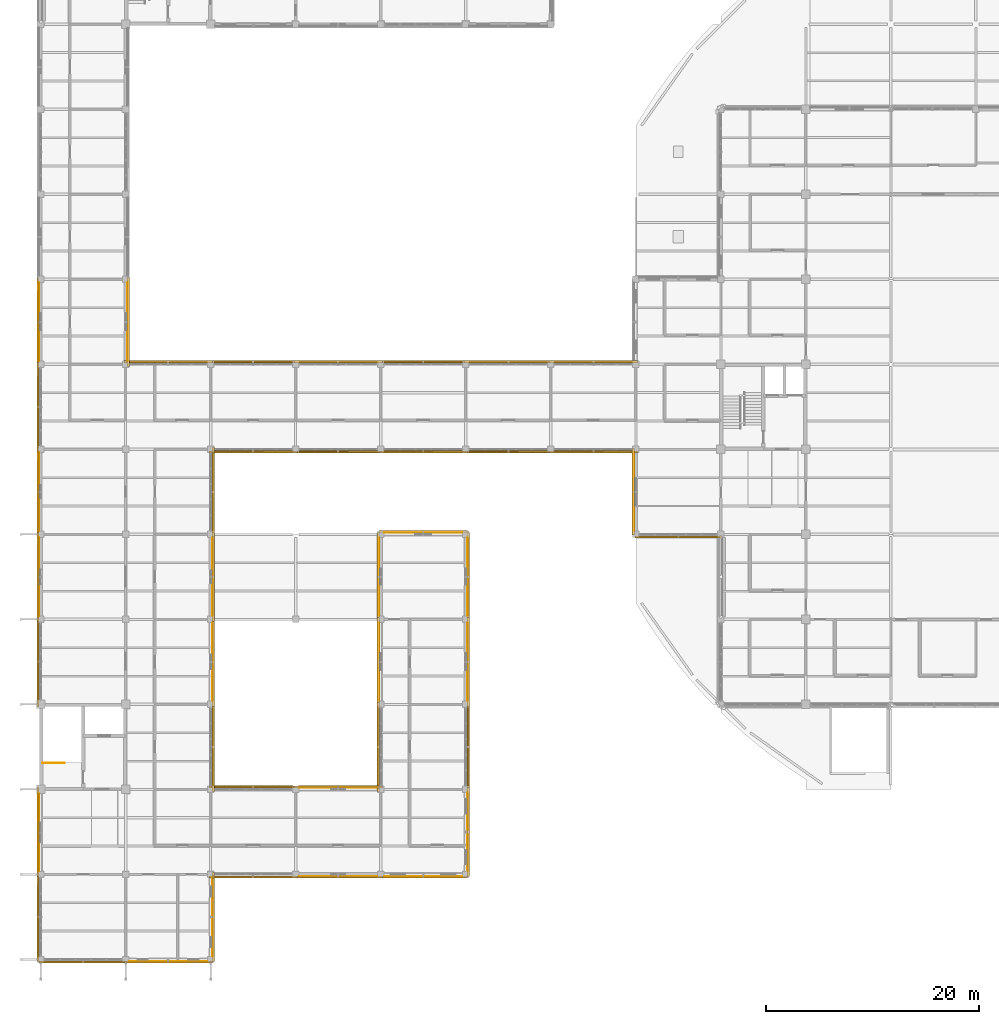
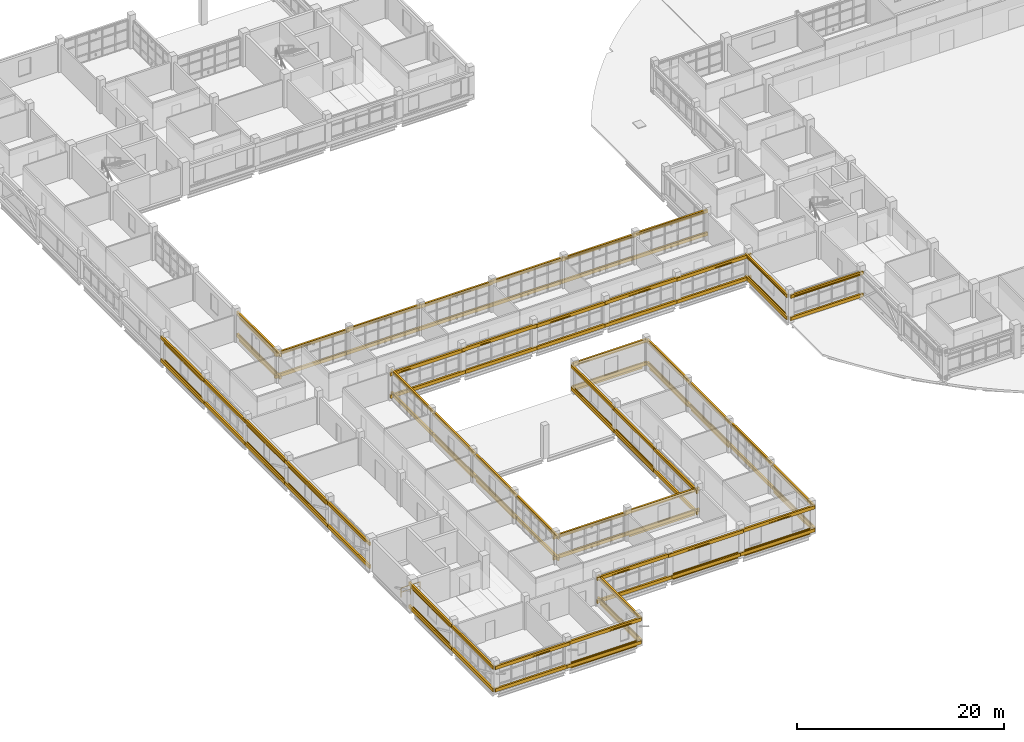
# One storey, part 113 of 126: 101 coverings, 46 shading devices, 1 railing.
"""IFC4 building model written with IfcOpenShell, lengths in metres."""

import ifcopenshell
import ifcopenshell.guid

model = None  # the IFC model being written
_history = None  # IfcOwnerHistory: only IFC2X3 demands one
_inside = {}  # id of a spatial element -> (the spatial element, [elements in it])
_under = {}  # id of a project, library or spatial element -> (it, [spatial elements below it])
_declared = {}  # id of a project -> (the project, [libraries it declares])
_typed = {}  # id of a type object -> (the type object, [elements of that type])
_made_of = {}  # id of a material, layer set ... -> (it, [elements and type objects made of it])


def new_model(schema):
    """Start an empty IFC model of exactly this schema.

    Asked for "IFC4X3", IfcOpenShell would pick the latest addendum, in which some entities
    have other attributes; the version numbers below select the first issue.
    IFC2X3 requires an IfcOwnerHistory on every rooted entity: one is made here for all.
    """
    global model, _history
    if schema == "IFC4X3":
        model = ifcopenshell.file(schema_version=(4, 3, 0, 0))
    else:
        model = ifcopenshell.file(schema=schema)
    _inside.clear()
    _under.clear()
    _declared.clear()
    _typed.clear()
    _made_of.clear()
    _history = None
    if model.schema == "IFC2X3":
        org = make("IfcOrganization", Name="unknown")
        user = make(
            "IfcPersonAndOrganization",
            ThePerson=make("IfcPerson", FamilyName="unknown"),
            TheOrganization=org,
        )
        app = make(
            "IfcApplication",
            ApplicationDeveloper=org,
            Version="unknown",
            ApplicationFullName="unknown",
            ApplicationIdentifier="unknown",
        )
        _history = make(
            "IfcOwnerHistory",
            OwningUser=user,
            OwningApplication=app,
            ChangeAction="ADDED",
            CreationDate=0,
        )
    return model


def make(cls, **values):
    """One entity of the class cls with the attributes given. An attribute that is None is left unset."""
    return model.create_entity(
        cls, **{name: value for name, value in values.items() if value is not None}
    )


def rooted(cls, **values):
    """An entity with a GlobalId (a new one), such as an element, a storey or a relation."""
    return make(cls, GlobalId=ifcopenshell.guid.new(), OwnerHistory=_history, **values)


def si_unit(unit_type, name, prefix=None):
    """IfcSIUnit, for example si_unit("LENGTHUNIT", "METRE", prefix="MILLI")."""
    return make("IfcSIUnit", UnitType=unit_type, Prefix=prefix, Name=name)


def derived_unit(unit_type, elements):
    """IfcDerivedUnit: a product of units, each with its exponent."""
    return make(
        "IfcDerivedUnit",
        Elements=[
            make("IfcDerivedUnitElement", Unit=unit, Exponent=power)
            for unit, power in elements
        ],
        UnitType=unit_type,
    )


def assignment(units):
    """IfcUnitAssignment: the units of a project."""
    return None if units is None else make("IfcUnitAssignment", Units=units)


def point(xyz):
    """IfcCartesianPoint."""
    return None if xyz is None else make("IfcCartesianPoint", Coordinates=xyz)


def direction(xyz):
    """IfcDirection."""
    return None if xyz is None else make("IfcDirection", DirectionRatios=xyz)


def frame(location, z_axis=None, x_axis=None):
    """IfcAxis2Placement3D, a coordinate frame: its origin and axes. An axis left out is left unset."""
    return make(
        "IfcAxis2Placement3D",
        Location=point(location),
        Axis=direction(z_axis),
        RefDirection=direction(x_axis),
    )


def frame_2d(location, x_axis=None):
    """IfcAxis2Placement2D, a coordinate frame in the plane: its origin and x axis."""
    return make(
        "IfcAxis2Placement2D", Location=point(location), RefDirection=direction(x_axis)
    )


def origin():
    """The frame at (0, 0, 0) with its axes left unset."""
    return frame((0.0, 0.0, 0.0))


def origin_2d():
    """The frame at (0, 0) in the plane with its x axis left unset."""
    return frame_2d((0.0, 0.0))


def place(relative_to, where):
    """IfcLocalPlacement: puts the frame where relative to a parent placement (None: the world)."""
    return make(
        "IfcLocalPlacement", PlacementRelTo=relative_to, RelativePlacement=where
    )


def context(
    kind, dimensions, precision=None, world=None, true_north=None, identifier=None
):
    """IfcGeometricRepresentationContext, for example the 3D "Model" context."""
    return make(
        "IfcGeometricRepresentationContext",
        ContextIdentifier=identifier,
        ContextType=kind,
        CoordinateSpaceDimension=dimensions,
        Precision=precision,
        WorldCoordinateSystem=world,
        TrueNorth=true_north,
    )


def subcontext(parent, identifier, kind, view, scale=None):
    """IfcGeometricRepresentationSubContext, for example "Body" below "Model"."""
    return make(
        "IfcGeometricRepresentationSubContext",
        ContextIdentifier=identifier,
        ContextType=kind,
        ParentContext=parent,
        TargetScale=scale,
        TargetView=view,
    )


def project(units=None, contexts=None):
    """IfcProject with its units and contexts."""
    return rooted(
        "IfcProject",
        Name="project",
        RepresentationContexts=contexts,
        UnitsInContext=assignment(units),
    )


def spatial(cls, under=None, at=None, **own):
    """A site, building, storey or space (cls), placed at a placement, below another one or the project."""
    s = rooted(cls, ObjectPlacement=at, **own)
    if under is not None:
        _under.setdefault(under.id(), (under, []))[1].append(s)
    return s


def profile(cls, at=None, kind="AREA", **sizes):
    """A parametric profile (cls). Its sizes go by their IFC names, for example OverallWidth=200.0."""
    return make(cls, ProfileType=kind, Position=at, **sizes)


def rectangle(**sizes):
    """IfcRectangleProfileDef."""
    return profile("IfcRectangleProfileDef", **sizes)


def circle(**sizes):
    """IfcCircleProfileDef."""
    return profile("IfcCircleProfileDef", **sizes)


def extrude(swept, where, along, depth):
    """IfcExtrudedAreaSolid: the profile swept, set in the frame where, extruded along a direction by depth."""
    return make(
        "IfcExtrudedAreaSolid",
        SweptArea=swept,
        Position=where,
        ExtrudedDirection=direction(along),
        Depth=depth,
    )


def shape(context_of_items, identifier, shape_type, items):
    """IfcShapeRepresentation: the items that make up one representation, for example the "Body"."""
    return make(
        "IfcShapeRepresentation",
        ContextOfItems=context_of_items,
        RepresentationIdentifier=identifier,
        RepresentationType=shape_type,
        Items=items,
    )


def material(Name=None, Category=None):
    """IfcMaterial."""
    return make("IfcMaterial", Name=Name, Category=Category)


def layer(
    of_material, thickness, ventilated=None, Name=None, Category=None, Priority=None
):
    """IfcMaterialLayer: one layer of a wall or slab, of a material (None: an air gap)."""
    return make(
        "IfcMaterialLayer",
        Material=of_material,
        LayerThickness=thickness,
        IsVentilated=ventilated,
        Name=Name,
        Category=Category,
        Priority=Priority,
    )


def layer_set(layers, Name=None):
    """IfcMaterialLayerSet."""
    return make("IfcMaterialLayerSet", MaterialLayers=layers, LayerSetName=Name)


def material_profile(
    of_material, cross_section, Name=None, Category=None, Priority=None
):
    """IfcMaterialProfile: a cross section and its material."""
    return make(
        "IfcMaterialProfile",
        Name=Name,
        Material=of_material,
        Profile=cross_section,
        Priority=Priority,
        Category=Category,
    )


def profile_set(profiles, Name=None, composite=None):
    """IfcMaterialProfileSet."""
    return make(
        "IfcMaterialProfileSet",
        Name=Name,
        MaterialProfiles=profiles,
        CompositeProfile=composite,
    )


def made_of(thing, what):
    """Note that an element or type object is made of a material, layer set ...; save() writes the relation."""
    if what is not None:
        _made_of.setdefault(what.id(), (what, []))[1].append(thing)
    return thing


def type_object(cls, material=None, **own):
    """A type object (cls), such as IfcWallType, which elements share."""
    return made_of(rooted(cls, **own), material)


def element(
    cls,
    number,
    at=None,
    inside=None,
    cuts=None,
    type_object=None,
    material=None,
    context=None,
    identifier="Body",
    shape_type=None,
    held_by="IfcProductDefinitionShape",
    body=None,
    shapes=None,
    **own,
):
    """One element of the class cls, such as IfcWall. Its Tag is "e" and its number.

    at: its placement. inside: the storey or other place that contains it. cuts: it is an
    opening in that element (IfcRelVoidsElement). A single representation is given by context,
    identifier, shape_type and body (its items); several are given by shapes. held_by: the class
    of the entity that holds the representations. save() writes the other relations.
    """
    e = rooted(cls, Tag="e%d" % number, ObjectPlacement=at, **own)
    if body is not None:
        shapes = [shape(context, identifier, shape_type, body)]
    if shapes is not None:
        e.Representation = make(held_by, Representations=shapes)
    if inside is not None:
        _inside.setdefault(inside.id(), (inside, []))[1].append(e)
    if cuts is not None:
        rooted(
            "IfcRelVoidsElement", RelatingBuildingElement=cuts, RelatedOpeningElement=e
        )
    if type_object is not None:
        _typed.setdefault(type_object.id(), (type_object, []))[1].append(e)
    return made_of(e, material)


def aggregate(whole, parts):
    """IfcRelAggregates: a whole, such as a stair, and the parts it consists of."""
    return rooted("IfcRelAggregates", RelatingObject=whole, RelatedObjects=parts)


def save(model, path):
    """Write the relations noted so far, then the file.

    IfcRelAggregates (storeys below a building ...), IfcRelContainedInSpatialStructure (elements
    in a storey), IfcRelDefinesByType, IfcRelAssociatesMaterial and IfcRelDeclares: one each for
    every whole, place, type object, material and project.
    """
    for whole, parts in _under.values():
        aggregate(whole, parts)
    for where, things in _inside.values():
        rooted(
            "IfcRelContainedInSpatialStructure",
            RelatedElements=things,
            RelatingStructure=where,
        )
    for kind, things in _typed.values():
        rooted("IfcRelDefinesByType", RelatedObjects=things, RelatingType=kind)
    for what, things in _made_of.values():
        rooted("IfcRelAssociatesMaterial", RelatedObjects=things, RelatingMaterial=what)
    for by, libraries in _declared.values():
        rooted("IfcRelDeclares", RelatingContext=by, RelatedDefinitions=libraries)
    model.write(path)


model = new_model("IFC4")

# Units and contexts
model_context = context("Model", 3, precision=1e-05, world=origin(), true_north=direction((0.0, 1.0)))
body_context = subcontext(model_context, "Body", "Model", "MODEL_VIEW")
ifc_project = project(units=[si_unit("LENGTHUNIT", "METRE"), si_unit("AREAUNIT", "SQUARE_METRE"), si_unit("VOLUMEUNIT", "CUBIC_METRE"), si_unit("PLANEANGLEUNIT", "RADIAN"), si_unit("MASSUNIT", "GRAM", prefix="KILO"), derived_unit("THERMALTRANSMITTANCEUNIT", [(si_unit("MASSUNIT", "GRAM", prefix="KILO"), 1), (si_unit("TIMEUNIT", "SECOND"), -3), (si_unit("THERMODYNAMICTEMPERATUREUNIT", "KELVIN"), -1)])], contexts=[model_context])

# Site, building, storey
site_placement = place(None, origin())
site = spatial("IfcSite", under=ifc_project, at=site_placement, CompositionType="ELEMENT")
building_placement = place(site_placement, origin())
building = spatial("IfcBuilding", under=site, at=building_placement, Name="Veyamyaing Civic Hall", CompositionType="ELEMENT")
storey_placement = place(building_placement, frame((0.0, 0.0, 9.89990234375)))
storey = spatial("IfcBuildingStorey", under=building, at=storey_placement, Name="L02", CompositionType="ELEMENT", Elevation=9.89990234375)

# Coverings
ifc_material_1 = material(Name="Buff sandstone ashlar cladding", Category="masonry")
ifc_layer_1 = layer(ifc_material_1, 0.050048828125, Name="Buff sandstone ashlar cladding")
ifc_layer_set_1 = layer_set([ifc_layer_1], Name="Buff sandstone ashlar cladding")
covering_type_1 = type_object("IfcCoveringType", Name="CL-01", PredefinedType="CLADDING", material=ifc_layer_set_1)
covering_placement = place(storey_placement, frame((-0.180908203125, 11.949951171875, 0.045166015625), z_axis=(0.0, 0.0, 1.0), x_axis=(0.0, 1.0, 0.0)))
element("IfcCovering", 1, at=covering_placement, inside=storey, type_object=covering_type_1, Name="Facade spandrel cladding CL-01 L02 W 1.2", PredefinedType="CLADDING", context=body_context, shape_type="SweptSolid", body=[
    extrude(rectangle(XDim=7.25, YDim=0.050048828125, at=origin_2d()), origin(), (0.0, 0.0, 1.0), 0.75),
])
for number, where, z_axis, x_axis, name in (
    (2, (-0.160888671875, 44.0, 0.045166015625), (0.0, 0.0, 1.0), (0.0, 1.0, 0.0), "Facade spandrel cladding CL-01 L02 W 1.6"),
    (3, (-0.160888671875, 60.0, 0.045166015625), (0.0, 0.0, 1.0), (0.0, 1.0, 0.0), "Facade spandrel cladding CL-01 L02 W 1.8"),
    (4, (8.160888671875, 60.0, 0.045166015625), (0.0, 0.0, 1.0), (0.0, 1.0, 0.0), "Facade spandrel cladding CL-01 L02 E 1.8"),
    (5, (12.0, -0.180908203125, 0.045166015625), (0.0, 0.0, 1.0), (1.0, 0.0, 0.0), "Facade spandrel cladding CL-01 L02 S 2.1"),
    (6, (16.180908203125, 4.0, 0.045166015625), (0.0, 0.0, 1.0), (0.0, 1.0, 0.0), "Facade spandrel cladding CL-01 L02 E 2.1"),
    (7, (16.180908203125, 36.0, 0.045166015625), (0.0, 0.0, 1.0), (0.0, 1.0, 0.0), "Facade spandrel cladding CL-01 L02 E 2.5"),
    (8, (36.0, 7.819091796875, 0.045166015625), (0.0, 0.0, 1.0), (1.0, 0.0, 0.0), "Facade spandrel cladding CL-01 L02 S 5.2"),
    (9, (40.180908203125, 12.0, 0.045166015625), (0.0, 0.0, 1.0), (0.0, 1.0, 0.0), "Facade spandrel cladding CL-01 L02 E 5.2"),
    (10, (31.819091796875, 28.0, 0.045166015625), (0.0, 0.0, 1.0), (0.0, 1.0, 0.0), "Facade spandrel cladding CL-01 L02 W 5.4"),
    (11, (40.180908203125, 28.0, 0.045166015625), (0.0, 0.0, 1.0), (0.0, 1.0, 0.0), "Facade spandrel cladding CL-01 L02 E 5.4"),
):
    element("IfcCovering", number, at=place(storey_placement, frame(where, z_axis=z_axis, x_axis=x_axis)), inside=storey, type_object=covering_type_1, Name=name, PredefinedType="CLADDING", context=body_context, shape_type="SweptSolid", body=[
        extrude(rectangle(XDim=7.35009765625, YDim=0.050048828125, at=origin_2d()), origin(), (0.0, 0.0, 1.0), 0.75),
    ])
ifc_material_2 = material(Name="Turquoise glazed ceramic tile cladding", Category="masonry")
ifc_layer_2 = layer(ifc_material_2, 0.034912109375, Name="Turquoise glazed ceramic tile cladding")
ifc_layer_set_2 = layer_set([ifc_layer_2], Name="Turquoise glazed ceramic tile cladding")
covering_type_2 = type_object("IfcCoveringType", Name="CL-02", PredefinedType="CLADDING", material=ifc_layer_set_2)
for number, where, z_axis, x_axis, name in (
    (12, (-0.173583984375, 36.0, 0.045166015625), (0.0, 0.0, 1.0), (0.0, 1.0, 0.0), "Facade spandrel cladding CL-02 L02 W 1.5"),
    (13, (16.173583984375, 28.0, 0.045166015625), (0.0, 0.0, 1.0), (0.0, 1.0, 0.0), "Facade spandrel cladding CL-02 L02 E 2.4"),
    (14, (28.0, 7.826416015625, 0.045166015625), (0.0, 0.0, 1.0), (1.0, 0.0, 0.0), "Facade spandrel cladding CL-02 L02 S 4.2"),
    (15, (28.0, 16.173583984375, 0.045166015625), (0.0, 0.0, 1.0), (1.0, 0.0, 0.0), "Facade spandrel cladding CL-02 L02 N 4.2"),
    (16, (36.0, 40.173583984375, 0.045166015625), (0.0, 0.0, 1.0), (1.0, 0.0, 0.0), "Facade spandrel cladding CL-02 L02 N 5.5"),
    (17, (31.826416015625, 36.0, 0.045166015625), (0.0, 0.0, 1.0), (0.0, 1.0, 0.0), "Facade spandrel cladding CL-02 L02 W 5.5"),
    (18, (40.173583984375, 36.0, 0.045166015625), (0.0, 0.0, 1.0), (0.0, 1.0, 0.0), "Facade spandrel cladding CL-02 L02 E 5.5"),
    (19, (55.833984375, 44.0, 0.045166015625), (0.0, 0.0, 1.0), (0.0, 1.0, 0.0), "Facade spandrel cladding CL-02 L02 W 8.6"),
):
    element("IfcCovering", number, at=place(storey_placement, frame(where, z_axis=z_axis, x_axis=x_axis)), inside=storey, type_object=covering_type_2, Name=name, PredefinedType="CLADDING", context=body_context, shape_type="SweptSolid", body=[
        extrude(rectangle(XDim=7.35009765625, YDim=0.034912109375, at=origin_2d()), origin(), (0.0, 0.0, 1.0), 0.75),
    ])
ifc_material_3 = material(Name="White powder-coated aluminium 6063-T6", Category="aluminium")
ifc_layer_3 = layer(ifc_material_3, 0.2099609375, Name="White powder-coated aluminium 6063-T6")
ifc_layer_set_3 = layer_set([ifc_layer_3], Name="White powder-coated aluminium 6063-T6")
covering_type_3 = type_object("IfcCoveringType", Name="CL-03", PredefinedType="CLADDING", material=ifc_layer_set_3)
for number, where, z_axis, x_axis, name in (
    (20, (4.0, -0.239990234375, 2.919189453125), (0.0, 0.0, 1.0), (1.0, 0.0, 0.0), "Continuous white head fascia ribbon CL-03 L02 S 1.1"),
    (21, (4.0, -0.239990234375, 0.280029296875), (0.0, 0.0, 1.0), (1.0, 0.0, 0.0), "Continuous white sill fascia ribbon CL-03 L02 S 1.1"),
    (22, (-0.239990234375, 4.0, 2.919189453125), (0.0, 0.0, 1.0), (0.0, 1.0, 0.0), "Continuous white head fascia ribbon CL-03 L02 W 1.1"),
    (23, (-0.239990234375, 4.0, 0.280029296875), (0.0, 0.0, 1.0), (0.0, 1.0, 0.0), "Continuous white sill fascia ribbon CL-03 L02 W 1.1"),
    (24, (-0.239990234375, 12.0, 2.982177734375), (0.0, 0.0, 1.0), (0.0, 1.0, 0.0), "Continuous white head fascia ribbon CL-03 L02 W 1.2"),
    (25, (-0.239990234375, 12.0, 0.280029296875), (0.0, 0.0, 1.0), (0.0, 1.0, 0.0), "Continuous white sill fascia ribbon CL-03 L02 W 1.2"),
    (26, (-0.239990234375, 28.0, 2.979248046875), (0.0, 0.0, 1.0), (0.0, 1.0, 0.0), "Continuous white head fascia ribbon CL-03 L02 W 1.4"),
    (27, (-0.239990234375, 28.0, 0.280029296875), (0.0, 0.0, 1.0), (0.0, 1.0, 0.0), "Continuous white sill fascia ribbon CL-03 L02 W 1.4"),
    (28, (-0.239990234375, 36.0, 2.919189453125), (0.0, 0.0, 1.0), (0.0, 1.0, 0.0), "Continuous white head fascia ribbon CL-03 L02 W 1.5"),
    (29, (-0.239990234375, 36.0, 0.280029296875), (0.0, 0.0, 1.0), (0.0, 1.0, 0.0), "Continuous white sill fascia ribbon CL-03 L02 W 1.5"),
    (30, (-0.239990234375, 44.0, 2.967041015625), (0.0, 0.0, 1.0), (0.0, 1.0, 0.0), "Continuous white head fascia ribbon CL-03 L02 W 1.6"),
    (31, (-0.239990234375, 44.0, 0.280029296875), (0.0, 0.0, 1.0), (0.0, 1.0, 0.0), "Continuous white sill fascia ribbon CL-03 L02 W 1.6"),
    (32, (-0.239990234375, 52.0, 2.900146484375), (0.0, 0.0, 1.0), (0.0, 1.0, 0.0), "Continuous white head fascia ribbon CL-03 L02 W 1.7"),
    (33, (-0.239990234375, 52.0, 0.280029296875), (0.0, 0.0, 1.0), (0.0, 1.0, 0.0), "Continuous white sill fascia ribbon CL-03 L02 W 1.7"),
    (34, (-0.239990234375, 60.0, 2.964111328125), (0.0, 0.0, 1.0), (0.0, 1.0, 0.0), "Continuous white head fascia ribbon CL-03 L02 W 1.8"),
    (35, (-0.239990234375, 60.0, 0.280029296875), (0.0, 0.0, 1.0), (0.0, 1.0, 0.0), "Continuous white sill fascia ribbon CL-03 L02 W 1.8"),
    (36, (8.239990234375, 60.0, 2.904052734375), (0.0, 0.0, 1.0), (0.0, 1.0, 0.0), "Continuous white head fascia ribbon CL-03 L02 E 1.8"),
    (37, (8.239990234375, 60.0, 0.280029296875), (0.0, 0.0, 1.0), (0.0, 1.0, 0.0), "Continuous white sill fascia ribbon CL-03 L02 E 1.8"),
    (38, (12.0, -0.239990234375, 2.982177734375), (0.0, 0.0, 1.0), (1.0, 0.0, 0.0), "Continuous white head fascia ribbon CL-03 L02 S 2.1"),
    (39, (12.0, -0.239990234375, 0.280029296875), (0.0, 0.0, 1.0), (1.0, 0.0, 0.0), "Continuous white sill fascia ribbon CL-03 L02 S 2.1"),
    (40, (16.239990234375, 4.0, 2.9150390625), (0.0, 0.0, 1.0), (0.0, 1.0, 0.0), "Continuous white head fascia ribbon CL-03 L02 E 2.1"),
    (41, (16.239990234375, 4.0, 0.280029296875), (0.0, 0.0, 1.0), (0.0, 1.0, 0.0), "Continuous white sill fascia ribbon CL-03 L02 E 2.1"),
    (42, (16.239990234375, 20.0, 2.799072265625), (0.0, 0.0, 1.0), (0.0, 1.0, 0.0), "Continuous white head fascia ribbon CL-03 L02 E 2.3"),
    (43, (16.239990234375, 20.0, 0.280029296875), (0.0, 0.0, 1.0), (0.0, 1.0, 0.0), "Continuous white sill fascia ribbon CL-03 L02 E 2.3"),
    (44, (16.239990234375, 28.0, 2.869140625), (0.0, 0.0, 1.0), (0.0, 1.0, 0.0), "Continuous white head fascia ribbon CL-03 L02 E 2.4"),
    (45, (16.239990234375, 28.0, 0.280029296875), (0.0, 0.0, 1.0), (0.0, 1.0, 0.0), "Continuous white sill fascia ribbon CL-03 L02 E 2.4"),
    (46, (16.239990234375, 36.0, 2.9150390625), (0.0, 0.0, 1.0), (0.0, 1.0, 0.0), "Continuous white head fascia ribbon CL-03 L02 E 2.5"),
    (47, (16.239990234375, 36.0, 0.280029296875), (0.0, 0.0, 1.0), (0.0, 1.0, 0.0), "Continuous white sill fascia ribbon CL-03 L02 E 2.5"),
    (48, (16.239990234375, 44.0, 2.964111328125), (0.0, 0.0, 1.0), (0.0, 1.0, 0.0), "Continuous white head fascia ribbon CL-03 L02 E 2.6"),
    (49, (16.239990234375, 44.0, 0.280029296875), (0.0, 0.0, 1.0), (0.0, 1.0, 0.0), "Continuous white sill fascia ribbon CL-03 L02 E 2.6"),
    (50, (12.0, 56.239990234375, 2.904052734375), (0.0, 0.0, 1.0), (1.0, 0.0, 0.0), "Continuous white head fascia ribbon CL-03 L02 N 2.7"),
    (51, (12.0, 56.239990234375, 0.280029296875), (0.0, 0.0, 1.0), (1.0, 0.0, 0.0), "Continuous white sill fascia ribbon CL-03 L02 N 2.7"),
    (52, (20.0, 7.760009765625, 2.979248046875), (0.0, 0.0, 1.0), (1.0, 0.0, 0.0), "Continuous white head fascia ribbon CL-03 L02 S 3.2"),
    (53, (20.0, 7.760009765625, 0.280029296875), (0.0, 0.0, 1.0), (1.0, 0.0, 0.0), "Continuous white sill fascia ribbon CL-03 L02 S 3.2"),
    (54, (20.0, 16.239990234375, 2.72412109375), (0.0, 0.0, 1.0), (1.0, 0.0, 0.0), "Continuous white head fascia ribbon CL-03 L02 N 3.2"),
    (55, (20.0, 16.239990234375, 0.280029296875), (0.0, 0.0, 1.0), (1.0, 0.0, 0.0), "Continuous white sill fascia ribbon CL-03 L02 N 3.2"),
    (56, (20.0, 47.760009765625, 2.904052734375), (0.0, 0.0, 1.0), (1.0, 0.0, 0.0), "Continuous white head fascia ribbon CL-03 L02 S 3.7"),
    (57, (20.0, 47.760009765625, 0.280029296875), (0.0, 0.0, 1.0), (1.0, 0.0, 0.0), "Continuous white sill fascia ribbon CL-03 L02 S 3.7"),
    (58, (20.0, 56.239990234375, 2.967041015625), (0.0, 0.0, 1.0), (1.0, 0.0, 0.0), "Continuous white head fascia ribbon CL-03 L02 N 3.7"),
    (59, (20.0, 56.239990234375, 0.280029296875), (0.0, 0.0, 1.0), (1.0, 0.0, 0.0), "Continuous white sill fascia ribbon CL-03 L02 N 3.7"),
    (60, (28.0, 7.760009765625, 2.919189453125), (0.0, 0.0, 1.0), (1.0, 0.0, 0.0), "Continuous white head fascia ribbon CL-03 L02 S 4.2"),
    (61, (28.0, 7.760009765625, 0.280029296875), (0.0, 0.0, 1.0), (1.0, 0.0, 0.0), "Continuous white sill fascia ribbon CL-03 L02 S 4.2"),
    (62, (28.0, 16.239990234375, 2.799072265625), (0.0, 0.0, 1.0), (1.0, 0.0, 0.0), "Continuous white head fascia ribbon CL-03 L02 N 4.2"),
    (63, (28.0, 16.239990234375, 0.280029296875), (0.0, 0.0, 1.0), (1.0, 0.0, 0.0), "Continuous white sill fascia ribbon CL-03 L02 N 4.2"),
    (64, (28.0, 47.760009765625, 2.967041015625), (0.0, 0.0, 1.0), (1.0, 0.0, 0.0), "Continuous white head fascia ribbon CL-03 L02 S 4.7"),
    (65, (28.0, 47.760009765625, 0.280029296875), (0.0, 0.0, 1.0), (1.0, 0.0, 0.0), "Continuous white sill fascia ribbon CL-03 L02 S 4.7"),
    (66, (28.0, 56.239990234375, 2.900146484375), (0.0, 0.0, 1.0), (1.0, 0.0, 0.0), "Continuous white head fascia ribbon CL-03 L02 N 4.7"),
    (67, (28.0, 56.239990234375, 0.280029296875), (0.0, 0.0, 1.0), (1.0, 0.0, 0.0), "Continuous white sill fascia ribbon CL-03 L02 N 4.7"),
    (68, (36.0, 7.760009765625, 2.982177734375), (0.0, 0.0, 1.0), (1.0, 0.0, 0.0), "Continuous white head fascia ribbon CL-03 L02 S 5.2"),
    (69, (36.0, 7.760009765625, 0.280029296875), (0.0, 0.0, 1.0), (1.0, 0.0, 0.0), "Continuous white sill fascia ribbon CL-03 L02 S 5.2"),
    (70, (40.239990234375, 12.0, 2.9150390625), (0.0, 0.0, 1.0), (0.0, 1.0, 0.0), "Continuous white head fascia ribbon CL-03 L02 E 5.2"),
    (71, (40.239990234375, 12.0, 0.280029296875), (0.0, 0.0, 1.0), (0.0, 1.0, 0.0), "Continuous white sill fascia ribbon CL-03 L02 E 5.2"),
    (72, (31.760009765625, 20.0, 2.793212890625), (0.0, 0.0, 1.0), (0.0, 1.0, 0.0), "Continuous white head fascia ribbon CL-03 L02 W 5.3"),
    (73, (31.760009765625, 20.0, 0.280029296875), (0.0, 0.0, 1.0), (0.0, 1.0, 0.0), "Continuous white sill fascia ribbon CL-03 L02 W 5.3"),
    (74, (40.239990234375, 20.0, 2.979248046875), (0.0, 0.0, 1.0), (0.0, 1.0, 0.0), "Continuous white head fascia ribbon CL-03 L02 E 5.3"),
    (75, (40.239990234375, 20.0, 0.280029296875), (0.0, 0.0, 1.0), (0.0, 1.0, 0.0), "Continuous white sill fascia ribbon CL-03 L02 E 5.3"),
    (76, (31.760009765625, 28.0, 2.863037109375), (0.0, 0.0, 1.0), (0.0, 1.0, 0.0), "Continuous white head fascia ribbon CL-03 L02 W 5.4"),
    (77, (31.760009765625, 28.0, 0.280029296875), (0.0, 0.0, 1.0), (0.0, 1.0, 0.0), "Continuous white sill fascia ribbon CL-03 L02 W 5.4"),
    (78, (40.239990234375, 28.0, 2.919189453125), (0.0, 0.0, 1.0), (0.0, 1.0, 0.0), "Continuous white head fascia ribbon CL-03 L02 E 5.4"),
    (79, (40.239990234375, 28.0, 0.280029296875), (0.0, 0.0, 1.0), (0.0, 1.0, 0.0), "Continuous white sill fascia ribbon CL-03 L02 E 5.4"),
    (80, (36.0, 40.239990234375, 2.982177734375), (0.0, 0.0, 1.0), (1.0, 0.0, 0.0), "Continuous white head fascia ribbon CL-03 L02 N 5.5"),
    (81, (36.0, 40.239990234375, 0.280029296875), (0.0, 0.0, 1.0), (1.0, 0.0, 0.0), "Continuous white sill fascia ribbon CL-03 L02 N 5.5"),
    (82, (31.760009765625, 36.0, 2.919189453125), (0.0, 0.0, 1.0), (0.0, 1.0, 0.0), "Continuous white head fascia ribbon CL-03 L02 W 5.5"),
    (83, (31.760009765625, 36.0, 0.280029296875), (0.0, 0.0, 1.0), (0.0, 1.0, 0.0), "Continuous white sill fascia ribbon CL-03 L02 W 5.5"),
    (84, (40.239990234375, 36.0, 2.982177734375), (0.0, 0.0, 1.0), (0.0, 1.0, 0.0), "Continuous white head fascia ribbon CL-03 L02 E 5.5"),
    (85, (40.239990234375, 36.0, 0.280029296875), (0.0, 0.0, 1.0), (0.0, 1.0, 0.0), "Continuous white sill fascia ribbon CL-03 L02 E 5.5"),
    (86, (36.0, 47.760009765625, 2.900146484375), (0.0, 0.0, 1.0), (1.0, 0.0, 0.0), "Continuous white head fascia ribbon CL-03 L02 S 5.7"),
    (87, (36.0, 47.760009765625, 0.280029296875), (0.0, 0.0, 1.0), (1.0, 0.0, 0.0), "Continuous white sill fascia ribbon CL-03 L02 S 5.7"),
    (88, (36.0, 56.239990234375, 2.964111328125), (0.0, 0.0, 1.0), (1.0, 0.0, 0.0), "Continuous white head fascia ribbon CL-03 L02 N 5.7"),
    (89, (36.0, 56.239990234375, 0.280029296875), (0.0, 0.0, 1.0), (1.0, 0.0, 0.0), "Continuous white sill fascia ribbon CL-03 L02 N 5.7"),
    (90, (44.0, 47.760009765625, 2.964111328125), (0.0, 0.0, 1.0), (1.0, 0.0, 0.0), "Continuous white head fascia ribbon CL-03 L02 S 6.7"),
    (91, (44.0, 47.760009765625, 0.280029296875), (0.0, 0.0, 1.0), (1.0, 0.0, 0.0), "Continuous white sill fascia ribbon CL-03 L02 S 6.7"),
    (92, (44.0, 56.239990234375, 2.904052734375), (0.0, 0.0, 1.0), (1.0, 0.0, 0.0), "Continuous white head fascia ribbon CL-03 L02 N 6.7"),
    (93, (44.0, 56.239990234375, 0.280029296875), (0.0, 0.0, 1.0), (1.0, 0.0, 0.0), "Continuous white sill fascia ribbon CL-03 L02 N 6.7"),
    (94, (52.0, 47.760009765625, 2.904052734375), (0.0, 0.0, 1.0), (1.0, 0.0, 0.0), "Continuous white head fascia ribbon CL-03 L02 S 7.7"),
    (95, (52.0, 47.760009765625, 0.280029296875), (0.0, 0.0, 1.0), (1.0, 0.0, 0.0), "Continuous white sill fascia ribbon CL-03 L02 S 7.7"),
    (96, (52.0, 56.239990234375, 2.967041015625), (0.0, 0.0, 1.0), (1.0, 0.0, 0.0), "Continuous white head fascia ribbon CL-03 L02 N 7.7"),
    (97, (52.0, 56.239990234375, 0.280029296875), (0.0, 0.0, 1.0), (1.0, 0.0, 0.0), "Continuous white sill fascia ribbon CL-03 L02 N 7.7"),
):
    element("IfcCovering", number, at=place(storey_placement, frame(where, z_axis=z_axis, x_axis=x_axis)), inside=storey, type_object=covering_type_3, Name=name, PredefinedType="CLADDING", context=body_context, shape_type="SweptSolid", body=[
        extrude(rectangle(XDim=8.360107421875, YDim=0.2099609375, at=origin_2d()), origin(), (0.0, 0.0, 1.0), 0.39990234375),
    ])
for number, where, z_axis, x_axis, name in (
    (98, (60.0, 39.760009765625, 2.904052734375), (0.0, 0.0, 1.0), (1.0, 0.0, 0.0), "Continuous white head fascia ribbon CL-03 L02 S 8.6"),
    (99, (60.0, 39.760009765625, 0.280029296875), (0.0, 0.0, 1.0), (1.0, 0.0, 0.0), "Continuous white sill fascia ribbon CL-03 L02 S 8.6"),
    (100, (55.760009765625, 44.0, 2.904052734375), (0.0, 0.0, 1.0), (0.0, 1.0, 0.0), "Continuous white head fascia ribbon CL-03 L02 W 8.6"),
    (101, (55.760009765625, 44.0, 0.280029296875), (0.0, 0.0, 1.0), (0.0, 1.0, 0.0), "Continuous white sill fascia ribbon CL-03 L02 W 8.6"),
):
    element("IfcCovering", number, at=place(storey_placement, frame(where, z_axis=z_axis, x_axis=x_axis)), inside=storey, type_object=covering_type_3, Name=name, PredefinedType="CLADDING", context=body_context, shape_type="SweptSolid", body=[
        extrude(rectangle(XDim=8.1201171875, YDim=0.2099609375, at=origin_2d()), origin(), (0.0, 0.0, 1.0), 0.39990234375),
    ])

# Shading devices
ifc_material_4 = material(Name="Anodised aluminium 6063-T6", Category="aluminium")
ifc_material_profile_1 = material_profile(ifc_material_4, rectangle(XDim=0.050048828125, YDim=0.25, at=origin_2d()), Name="LOUVRE-BLADE-50X250")
ifc_profile_set_1 = profile_set([ifc_material_profile_1], Name="Anodised aluminium 6063-T6")
shading_device_type_1 = type_object("IfcShadingDeviceType", Name="LV-01", PredefinedType="JALOUSIE", material=ifc_profile_set_1)
shading_device_placement = place(storey_placement, frame((-0.219970703125, 8.284912109375, 2.81201171875), z_axis=(0.0, 1.0, 0.0), x_axis=(-1.0, 0.0, 0.0)))
element("IfcShadingDevice", 102, at=shading_device_placement, inside=storey, type_object=shading_device_type_1, Name="Monsoon solar louvre LV-01 L02 W 1.2", PredefinedType="JALOUSIE", context=body_context, shape_type="SweptSolid", body=[
    extrude(rectangle(XDim=0.050048828125, YDim=0.25, at=origin_2d()), origin(), (0.0, 0.0, 1.0), 7.330078125),
])
for number, where, z_axis, x_axis, name in (
    (103, (-0.219970703125, 32.284912109375, 2.7490234375), (0.0, 1.0, 0.0), (-1.0, 0.0, 0.0), "Monsoon solar louvre LV-01 L02 W 1.5"),
    (104, (-0.219970703125, 40.284912109375, 2.797119140625), (0.0, 1.0, 0.0), (-1.0, 0.0, 0.0), "Monsoon solar louvre LV-01 L02 W 1.6"),
    (105, (-0.219970703125, 56.284912109375, 2.794189453125), (0.0, 1.0, 0.0), (-1.0, 0.0, 0.0), "Monsoon solar louvre LV-01 L02 W 1.8"),
    (106, (8.219970703125, 56.284912109375, 2.734130859375), (0.0, 1.0, 0.0), (-1.0, 0.0, 0.0), "Monsoon solar louvre LV-01 L02 E 1.8"),
):
    element("IfcShadingDevice", number, at=place(storey_placement, frame(where, z_axis=z_axis, x_axis=x_axis)), inside=storey, type_object=shading_device_type_1, Name=name, PredefinedType="JALOUSIE", context=body_context, shape_type="SweptSolid", body=[
        extrude(rectangle(XDim=0.050048828125, YDim=0.25, at=origin_2d()), origin(), (0.0, 0.0, 1.0), 7.43017578125),
    ])

# Railing
ifc_material_5 = material(Name="Steel S355J2", Category="steel")
railing_type = type_object("IfcRailingType", Name="RL-01", PredefinedType="BALUSTRADE", material=ifc_material_5)
railing_placement = place(storey_placement, frame((0.159912109375, 18.47998046875, 0.0)))
element("IfcRailing", 107, at=railing_placement, inside=storey, type_object=railing_type, Name="Top-landing stair well guard RL-01 ST-09 L02", PredefinedType="BALUSTRADE", context=body_context, shape_type="SweptSolid", body=[
    extrude(circle(Radius=0.02392578125, at=origin_2d()), frame((0.0, 0.0, 1.076171875), z_axis=(1.0, 0.0, 0.0), x_axis=(0.0, 1.0, 0.0)), (0.0, 0.0, 1.0), 2.10009765625),
    extrude(circle(Radius=0.01416015625, at=origin_2d()), frame((0.0, 0.0, 0.572021484375), z_axis=(1.0, 0.0, 0.0), x_axis=(0.0, 1.0, 0.0)), (0.0, 0.0, 1.0), 2.10009765625),
    extrude(circle(Radius=0.02099609375, at=origin_2d()), origin(), (0.0, 0.0, 1.0), 1.052001953125),
    extrude(circle(Radius=0.02099609375, at=origin_2d()), frame((1.050048828125, 0.0, 0.0)), (0.0, 0.0, 1.0), 1.052001953125),
    extrude(circle(Radius=0.02099609375, at=origin_2d()), frame((2.10009765625, 0.0, 0.0)), (0.0, 0.0, 1.0), 1.052001953125),
])

# Shading devices
ifc_material_profile_2 = material_profile(ifc_material_3, circle(Radius=0.110107421875, at=origin_2d()), Name="SHADE-TUBE-220")
ifc_profile_set_2 = profile_set([ifc_material_profile_2], Name="White powder-coated aluminium 6063-T6")
shading_device_type_2 = type_object("IfcShadingDeviceType", Name="SH-01", PredefinedType="USERDEFINED", material=ifc_profile_set_2)
for number, where, z_axis, x_axis, name in (
    (108, (56.284912109375, 39.760009765625, 3.064208984375), (1.0, 0.0, 0.0), (0.0, 1.0, 0.0), "Horizontal white sunshade ribbon SH-01 L02 S 8.6"),
    (109, (55.760009765625, 40.284912109375, 3.064208984375), (0.0, 1.0, 0.0), (-1.0, 0.0, 0.0), "Horizontal white sunshade ribbon SH-01 L02 W 8.6"),
):
    element("IfcShadingDevice", number, at=place(storey_placement, frame(where, z_axis=z_axis, x_axis=x_axis)), inside=storey, type_object=shading_device_type_2, Name=name, ObjectType="SUNSHADE", PredefinedType="USERDEFINED", context=body_context, shape_type="SweptSolid", body=[
        extrude(circle(Radius=0.110107421875, at=origin_2d()), origin(), (0.0, 0.0, 1.0), 7.43017578125),
    ])
ifc_material_profile_3 = material_profile(ifc_material_3, circle(Radius=0.090087890625, at=origin_2d()), Name="SHADE-TUBE-180")
ifc_profile_set_3 = profile_set([ifc_material_profile_3], Name="White powder-coated aluminium 6063-T6")
shading_device_type_3 = type_object("IfcShadingDeviceType", Name="SH-02", PredefinedType="USERDEFINED", material=ifc_profile_set_3)
for number, where, z_axis, x_axis, name in (
    (110, (0.284912109375, -0.239990234375, 3.0791015625), (1.0, 0.0, 0.0), (0.0, 1.0, 0.0), "Horizontal white sunshade ribbon SH-02 L02 S 1.1"),
    (111, (-0.239990234375, 0.284912109375, 3.0791015625), (0.0, 1.0, 0.0), (-1.0, 0.0, 0.0), "Horizontal white sunshade ribbon SH-02 L02 W 1.1"),
):
    element("IfcShadingDevice", number, at=place(storey_placement, frame(where, z_axis=z_axis, x_axis=x_axis)), inside=storey, type_object=shading_device_type_3, Name=name, ObjectType="SUNSHADE", PredefinedType="USERDEFINED", context=body_context, shape_type="SweptSolid", body=[
        extrude(circle(Radius=0.090087890625, at=origin_2d()), origin(), (0.0, 0.0, 1.0), 7.43017578125),
    ])
for number, where, z_axis, x_axis, name in (
    (112, (-0.239990234375, 8.284912109375, 3.14208984375), (0.0, 1.0, 0.0), (-1.0, 0.0, 0.0), "Horizontal white sunshade ribbon SH-02 L02 W 1.2"),
    (113, (-0.239990234375, 24.385009765625, 3.13916015625), (0.0, 1.0, 0.0), (-1.0, 0.0, 0.0), "Horizontal white sunshade ribbon SH-02 L02 W 1.4"),
):
    element("IfcShadingDevice", number, at=place(storey_placement, frame(where, z_axis=z_axis, x_axis=x_axis)), inside=storey, type_object=shading_device_type_3, Name=name, ObjectType="SUNSHADE", PredefinedType="USERDEFINED", context=body_context, shape_type="SweptSolid", body=[
        extrude(circle(Radius=0.090087890625, at=origin_2d()), origin(), (0.0, 0.0, 1.0), 7.330078125),
    ])
for number, where, z_axis, x_axis, name in (
    (114, (-0.239990234375, 32.284912109375, 3.0791015625), (0.0, 1.0, 0.0), (-1.0, 0.0, 0.0), "Horizontal white sunshade ribbon SH-02 L02 W 1.5"),
    (115, (-0.239990234375, 40.284912109375, 3.127197265625), (0.0, 1.0, 0.0), (-1.0, 0.0, 0.0), "Horizontal white sunshade ribbon SH-02 L02 W 1.6"),
    (116, (-0.239990234375, 48.284912109375, 3.06005859375), (0.0, 1.0, 0.0), (-1.0, 0.0, 0.0), "Horizontal white sunshade ribbon SH-02 L02 W 1.7"),
    (117, (-0.239990234375, 56.284912109375, 3.1240234375), (0.0, 1.0, 0.0), (-1.0, 0.0, 0.0), "Horizontal white sunshade ribbon SH-02 L02 W 1.8"),
    (118, (8.239990234375, 56.284912109375, 3.064208984375), (0.0, 1.0, 0.0), (-1.0, 0.0, 0.0), "Horizontal white sunshade ribbon SH-02 L02 E 1.8"),
    (119, (8.284912109375, -0.239990234375, 3.14208984375), (1.0, 0.0, 0.0), (0.0, 1.0, 0.0), "Horizontal white sunshade ribbon SH-02 L02 S 2.1"),
    (120, (16.239990234375, 0.284912109375, 3.0751953125), (0.0, 1.0, 0.0), (-1.0, 0.0, 0.0), "Horizontal white sunshade ribbon SH-02 L02 E 2.1"),
    (121, (16.239990234375, 16.284912109375, 2.958984375), (0.0, 1.0, 0.0), (-1.0, 0.0, 0.0), "Horizontal white sunshade ribbon SH-02 L02 E 2.3"),
    (122, (16.239990234375, 24.284912109375, 3.029052734375), (0.0, 1.0, 0.0), (-1.0, 0.0, 0.0), "Horizontal white sunshade ribbon SH-02 L02 E 2.4"),
    (123, (16.239990234375, 32.284912109375, 3.0751953125), (0.0, 1.0, 0.0), (-1.0, 0.0, 0.0), "Horizontal white sunshade ribbon SH-02 L02 E 2.5"),
    (124, (16.239990234375, 40.284912109375, 3.1240234375), (0.0, 1.0, 0.0), (-1.0, 0.0, 0.0), "Horizontal white sunshade ribbon SH-02 L02 E 2.6"),
    (125, (8.284912109375, 56.239990234375, 3.064208984375), (1.0, 0.0, 0.0), (0.0, 1.0, 0.0), "Horizontal white sunshade ribbon SH-02 L02 N 2.7"),
    (126, (16.284912109375, 7.760009765625, 3.13916015625), (1.0, 0.0, 0.0), (0.0, 1.0, 0.0), "Horizontal white sunshade ribbon SH-02 L02 S 3.2"),
    (127, (16.284912109375, 16.239990234375, 2.884033203125), (1.0, 0.0, 0.0), (0.0, 1.0, 0.0), "Horizontal white sunshade ribbon SH-02 L02 N 3.2"),
    (128, (16.284912109375, 47.760009765625, 3.064208984375), (1.0, 0.0, 0.0), (0.0, 1.0, 0.0), "Horizontal white sunshade ribbon SH-02 L02 S 3.7"),
    (129, (16.284912109375, 56.239990234375, 3.127197265625), (1.0, 0.0, 0.0), (0.0, 1.0, 0.0), "Horizontal white sunshade ribbon SH-02 L02 N 3.7"),
    (130, (24.284912109375, 7.760009765625, 3.0791015625), (1.0, 0.0, 0.0), (0.0, 1.0, 0.0), "Horizontal white sunshade ribbon SH-02 L02 S 4.2"),
    (131, (24.284912109375, 16.239990234375, 2.958984375), (1.0, 0.0, 0.0), (0.0, 1.0, 0.0), "Horizontal white sunshade ribbon SH-02 L02 N 4.2"),
    (132, (24.284912109375, 47.760009765625, 3.127197265625), (1.0, 0.0, 0.0), (0.0, 1.0, 0.0), "Horizontal white sunshade ribbon SH-02 L02 S 4.7"),
    (133, (24.284912109375, 56.239990234375, 3.06005859375), (1.0, 0.0, 0.0), (0.0, 1.0, 0.0), "Horizontal white sunshade ribbon SH-02 L02 N 4.7"),
    (134, (32.284912109375, 7.760009765625, 3.14208984375), (1.0, 0.0, 0.0), (0.0, 1.0, 0.0), "Horizontal white sunshade ribbon SH-02 L02 S 5.2"),
    (135, (40.239990234375, 8.284912109375, 3.0751953125), (0.0, 1.0, 0.0), (-1.0, 0.0, 0.0), "Horizontal white sunshade ribbon SH-02 L02 E 5.2"),
    (136, (31.760009765625, 16.284912109375, 2.953125), (0.0, 1.0, 0.0), (-1.0, 0.0, 0.0), "Horizontal white sunshade ribbon SH-02 L02 W 5.3"),
    (137, (40.239990234375, 16.284912109375, 3.13916015625), (0.0, 1.0, 0.0), (-1.0, 0.0, 0.0), "Horizontal white sunshade ribbon SH-02 L02 E 5.3"),
    (138, (31.760009765625, 24.284912109375, 3.023193359375), (0.0, 1.0, 0.0), (-1.0, 0.0, 0.0), "Horizontal white sunshade ribbon SH-02 L02 W 5.4"),
    (139, (40.239990234375, 24.284912109375, 3.0791015625), (0.0, 1.0, 0.0), (-1.0, 0.0, 0.0), "Horizontal white sunshade ribbon SH-02 L02 E 5.4"),
    (140, (32.284912109375, 40.239990234375, 3.14208984375), (1.0, 0.0, 0.0), (0.0, 1.0, 0.0), "Horizontal white sunshade ribbon SH-02 L02 N 5.5"),
    (141, (31.760009765625, 32.284912109375, 3.0791015625), (0.0, 1.0, 0.0), (-1.0, 0.0, 0.0), "Horizontal white sunshade ribbon SH-02 L02 W 5.5"),
    (142, (40.239990234375, 32.284912109375, 3.14208984375), (0.0, 1.0, 0.0), (-1.0, 0.0, 0.0), "Horizontal white sunshade ribbon SH-02 L02 E 5.5"),
    (143, (32.284912109375, 47.760009765625, 3.06005859375), (1.0, 0.0, 0.0), (0.0, 1.0, 0.0), "Horizontal white sunshade ribbon SH-02 L02 S 5.7"),
    (144, (32.284912109375, 56.239990234375, 3.1240234375), (1.0, 0.0, 0.0), (0.0, 1.0, 0.0), "Horizontal white sunshade ribbon SH-02 L02 N 5.7"),
    (145, (40.284912109375, 47.760009765625, 3.1240234375), (1.0, 0.0, 0.0), (0.0, 1.0, 0.0), "Horizontal white sunshade ribbon SH-02 L02 S 6.7"),
    (146, (40.284912109375, 56.239990234375, 3.064208984375), (1.0, 0.0, 0.0), (0.0, 1.0, 0.0), "Horizontal white sunshade ribbon SH-02 L02 N 6.7"),
    (147, (48.284912109375, 47.760009765625, 3.064208984375), (1.0, 0.0, 0.0), (0.0, 1.0, 0.0), "Horizontal white sunshade ribbon SH-02 L02 S 7.7"),
    (148, (48.284912109375, 56.239990234375, 3.127197265625), (1.0, 0.0, 0.0), (0.0, 1.0, 0.0), "Horizontal white sunshade ribbon SH-02 L02 N 7.7"),
):
    element("IfcShadingDevice", number, at=place(storey_placement, frame(where, z_axis=z_axis, x_axis=x_axis)), inside=storey, type_object=shading_device_type_3, Name=name, ObjectType="SUNSHADE", PredefinedType="USERDEFINED", context=body_context, shape_type="SweptSolid", body=[
        extrude(circle(Radius=0.090087890625, at=origin_2d()), origin(), (0.0, 0.0, 1.0), 7.43017578125),
    ])

save(model, "model.ifc")
